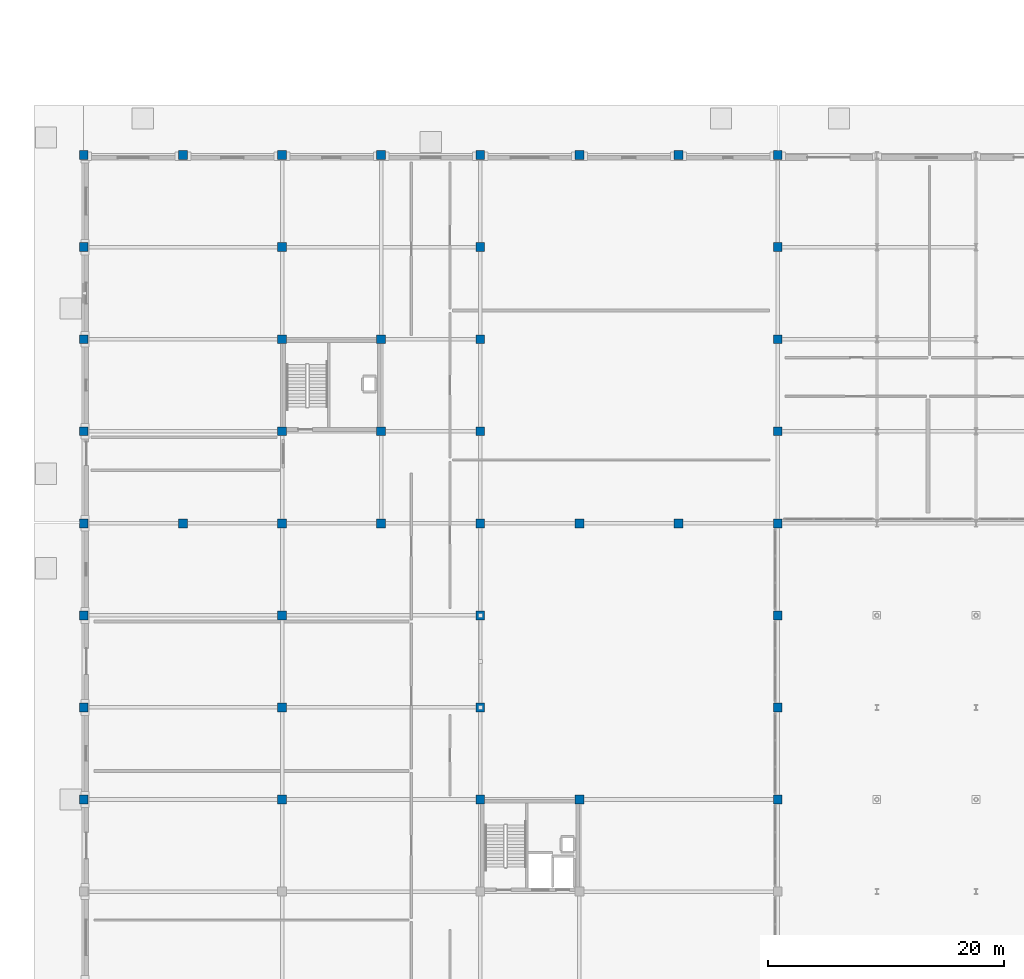
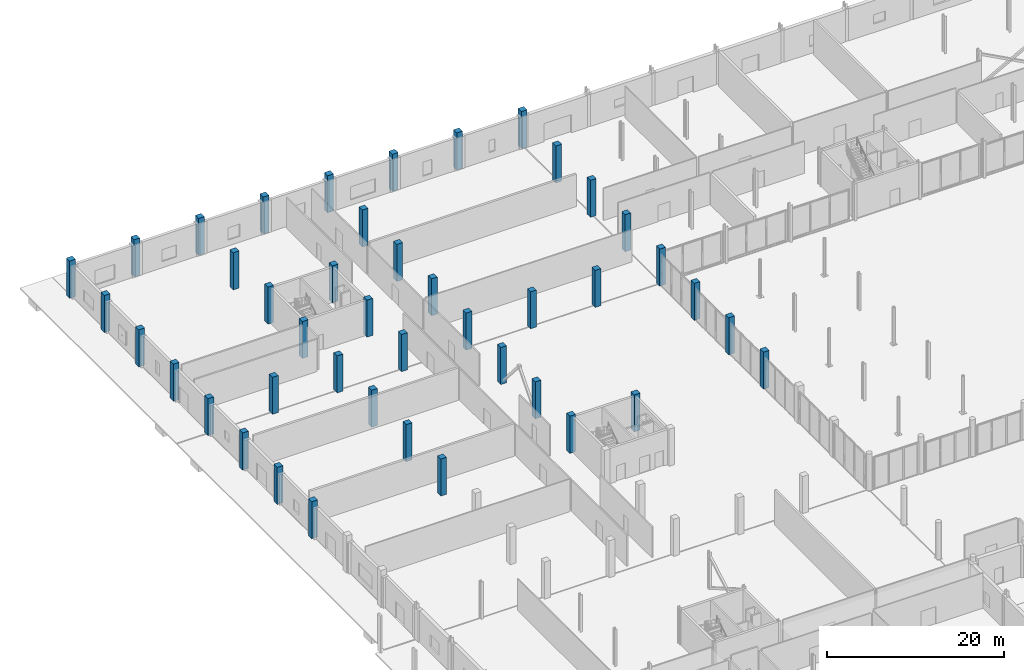
# One storey, part 8 of 80: 43 columns.
"""IFC4 building model written with IfcOpenShell, lengths in metres."""

from ifc_helpers import new_model, si_unit, direction, frame, origin, origin_2d, place, context, subcontext, project, spatial, rectangle, extrude, material, material_profile, profile_set, type_object, element, save


model = new_model("IFC4")

# Units and contexts
model_context = context("Model", 3, precision=1e-05, world=origin(), true_north=direction((0.0, 1.0)))
body_context = subcontext(model_context, "Body", "Model", "MODEL_VIEW")
ifc_project = project(units=[si_unit("LENGTHUNIT", "METRE"), si_unit("AREAUNIT", "SQUARE_METRE"), si_unit("VOLUMEUNIT", "CUBIC_METRE"), si_unit("PLANEANGLEUNIT", "RADIAN"), si_unit("MASSUNIT", "GRAM", prefix="KILO")], contexts=[model_context])

# Site, building, storey
site_placement = place(None, origin())
site = spatial("IfcSite", under=ifc_project, at=site_placement, CompositionType="ELEMENT")
building_placement = place(site_placement, origin())
building = spatial("IfcBuilding", under=site, at=building_placement, Name="Nabrawat Pavilion Hospital", CompositionType="ELEMENT")
storey_placement = place(building_placement, origin())
storey = spatial("IfcBuildingStorey", under=building, at=storey_placement, Name="L00", CompositionType="ELEMENT", Elevation=0.0)

# Columns
ifc_material = material(Name="Concrete C40/50", Category="concrete")
ifc_material_profile = material_profile(ifc_material, rectangle(XDim=0.75, YDim=0.75, at=origin_2d()), Name="RC 750x750")
ifc_profile_set = profile_set([ifc_material_profile], Name="Concrete C40/50")
column_type = type_object("IfcColumnType", Name="Surgical Suite RC Column 750x750", PredefinedType="COLUMN", material=ifc_profile_set)
for number, where, z_axis, x_axis, name in (
    (1, (0.0, 62.39990234375, 0.0), (0.0, 0.0, 1.0), (1.0, 0.0, 0.0), "L00 Structural Column G-1-J"),
    (2, (0.0, 70.199951171875, 0.0), (0.0, 0.0, 1.0), (1.0, 0.0, 0.0), "L00 Structural Column G-1-K"),
    (3, (0.0, 78.0, 0.0), (0.0, 0.0, 1.0), (1.0, 0.0, 0.0), "L00 Structural Column G-1-L"),
    (4, (0.0, 85.800048828125, 0.0), (0.0, 0.0, 1.0), (1.0, 0.0, 0.0), "L00 Structural Column G-1-M1"),
    (5, (0.0, 93.60009765625, 0.0), (0.0, 0.0, 1.0), (1.0, 0.0, 0.0), "L00 Structural Column G-1-N"),
    (6, (0.0, 101.39990234375, 0.0), (0.0, 0.0, 1.0), (1.0, 0.0, 0.0), "L00 Structural Column G-1-P"),
    (7, (0.0, 109.199951171875, 0.0), (0.0, 0.0, 1.0), (1.0, 0.0, 0.0), "L00 Structural Column G-1-Q"),
    (8, (0.0, 117.0, 0.0), (0.0, 0.0, 1.0), (1.0, 0.0, 0.0), "L00 Structural Column G-1-R"),
    (9, (8.39990234375, 85.800048828125, 0.0), (0.0, 0.0, 1.0), (1.0, 0.0, 0.0), "L00 Structural Column G-2-M1"),
    (10, (8.39990234375, 117.0, 0.0), (0.0, 0.0, 1.0), (1.0, 0.0, 0.0), "L00 Structural Column G-2-R"),
    (11, (16.800048828125, 62.39990234375, 0.0), (0.0, 0.0, 1.0), (1.0, 0.0, 0.0), "L00 Structural Column G-3-J"),
    (12, (16.800048828125, 70.199951171875, 0.0), (0.0, 0.0, 1.0), (1.0, 0.0, 0.0), "L00 Structural Column G-3-K"),
    (13, (16.800048828125, 78.0, 0.0), (0.0, 0.0, 1.0), (1.0, 0.0, 0.0), "L00 Structural Column G-3-L"),
    (14, (16.800048828125, 85.800048828125, 0.0), (0.0, 0.0, 1.0), (1.0, 0.0, 0.0), "L00 Structural Column G-3-M1"),
    (15, (16.800048828125, 93.60009765625, 0.0), (0.0, 0.0, 1.0), (1.0, 0.0, 0.0), "L00 Structural Column G-3-N"),
    (16, (16.800048828125, 101.39990234375, 0.0), (0.0, 0.0, 1.0), (1.0, 0.0, 0.0), "L00 Structural Column G-3-P"),
    (17, (16.800048828125, 109.199951171875, 0.0), (0.0, 0.0, 1.0), (1.0, 0.0, 0.0), "L00 Structural Column G-3-Q"),
    (18, (16.800048828125, 117.0, 0.0), (0.0, 0.0, 1.0), (1.0, 0.0, 0.0), "L00 Structural Column G-3-R"),
    (19, (25.199951171875, 85.800048828125, 0.0), (0.0, 0.0, 1.0), (1.0, 0.0, 0.0), "L00 Structural Column G-4-M1"),
    (20, (25.199951171875, 93.60009765625, 0.0), (0.0, 0.0, 1.0), (1.0, 0.0, 0.0), "L00 Structural Column G-4-N"),
    (21, (25.199951171875, 101.39990234375, 0.0), (0.0, 0.0, 1.0), (1.0, 0.0, 0.0), "L00 Structural Column G-4-P"),
    (22, (25.199951171875, 117.0, 0.0), (0.0, 0.0, 1.0), (1.0, 0.0, 0.0), "L00 Structural Column G-4-R"),
    (23, (33.60009765625, 62.39990234375, 0.0), (0.0, 0.0, 1.0), (1.0, 0.0, 0.0), "L00 Structural Column G-5-J"),
    (24, (33.60009765625, 70.199951171875, 0.0), (0.0, 0.0, 1.0), (1.0, 0.0, 0.0), "L00 Structural Column G-5-K"),
    (25, (33.60009765625, 78.0, 0.0), (0.0, 0.0, 1.0), (1.0, 0.0, 0.0), "L00 Structural Column G-5-L"),
    (26, (33.60009765625, 85.800048828125, 0.0), (0.0, 0.0, 1.0), (1.0, 0.0, 0.0), "L00 Structural Column G-5-M1"),
    (27, (33.60009765625, 93.60009765625, 0.0), (0.0, 0.0, 1.0), (1.0, 0.0, 0.0), "L00 Structural Column G-5-N"),
    (28, (33.60009765625, 101.39990234375, 0.0), (0.0, 0.0, 1.0), (1.0, 0.0, 0.0), "L00 Structural Column G-5-P"),
    (29, (33.60009765625, 109.199951171875, 0.0), (0.0, 0.0, 1.0), (1.0, 0.0, 0.0), "L00 Structural Column G-5-Q"),
    (30, (33.60009765625, 117.0, 0.0), (0.0, 0.0, 1.0), (1.0, 0.0, 0.0), "L00 Structural Column G-5-R"),
    (31, (42.0, 62.39990234375, 0.0), (0.0, 0.0, 1.0), (1.0, 0.0, 0.0), "L00 Structural Column G-6-J"),
    (32, (42.0, 85.800048828125, 0.0), (0.0, 0.0, 1.0), (1.0, 0.0, 0.0), "L00 Structural Column G-6-M1"),
    (33, (42.0, 117.0, 0.0), (0.0, 0.0, 1.0), (1.0, 0.0, 0.0), "L00 Structural Column G-6-R"),
    (34, (50.39990234375, 85.800048828125, 0.0), (0.0, 0.0, 1.0), (1.0, 0.0, 0.0), "L00 Structural Column G-7-M1"),
    (35, (50.39990234375, 117.0, 0.0), (0.0, 0.0, 1.0), (1.0, 0.0, 0.0), "L00 Structural Column G-7-R"),
    (36, (58.800048828125, 62.39990234375, 0.0), (0.0, 0.0, 1.0), (1.0, 0.0, 0.0), "L00 Structural Column G-8A-J"),
    (37, (58.800048828125, 70.199951171875, 0.0), (0.0, 0.0, 1.0), (1.0, 0.0, 0.0), "L00 Structural Column G-8A-K"),
    (38, (58.800048828125, 78.0, 0.0), (0.0, 0.0, 1.0), (1.0, 0.0, 0.0), "L00 Structural Column G-8A-L"),
    (39, (58.800048828125, 85.800048828125, 0.0), (0.0, 0.0, 1.0), (1.0, 0.0, 0.0), "L00 Structural Column G-8A-M1"),
    (40, (58.800048828125, 93.60009765625, 0.0), (0.0, 0.0, 1.0), (1.0, 0.0, 0.0), "L00 Structural Column G-8A-N"),
    (41, (58.800048828125, 101.39990234375, 0.0), (0.0, 0.0, 1.0), (1.0, 0.0, 0.0), "L00 Structural Column G-8A-P"),
    (42, (58.800048828125, 109.199951171875, 0.0), (0.0, 0.0, 1.0), (1.0, 0.0, 0.0), "L00 Structural Column G-8A-Q"),
    (43, (58.800048828125, 117.0, 0.0), (0.0, 0.0, 1.0), (1.0, 0.0, 0.0), "L00 Structural Column G-8A-R"),
):
    element("IfcColumn", number, at=place(storey_placement, frame(where, z_axis=z_axis, x_axis=x_axis)), inside=storey, type_object=column_type, Name=name, PredefinedType="COLUMN", context=body_context, shape_type="SweptSolid", body=[
        extrude(rectangle(XDim=0.75, YDim=0.75, at=origin_2d()), origin(), (0.0, 0.0, 1.0), 5.10009765625),
    ])

save(model, "model.ifc")
